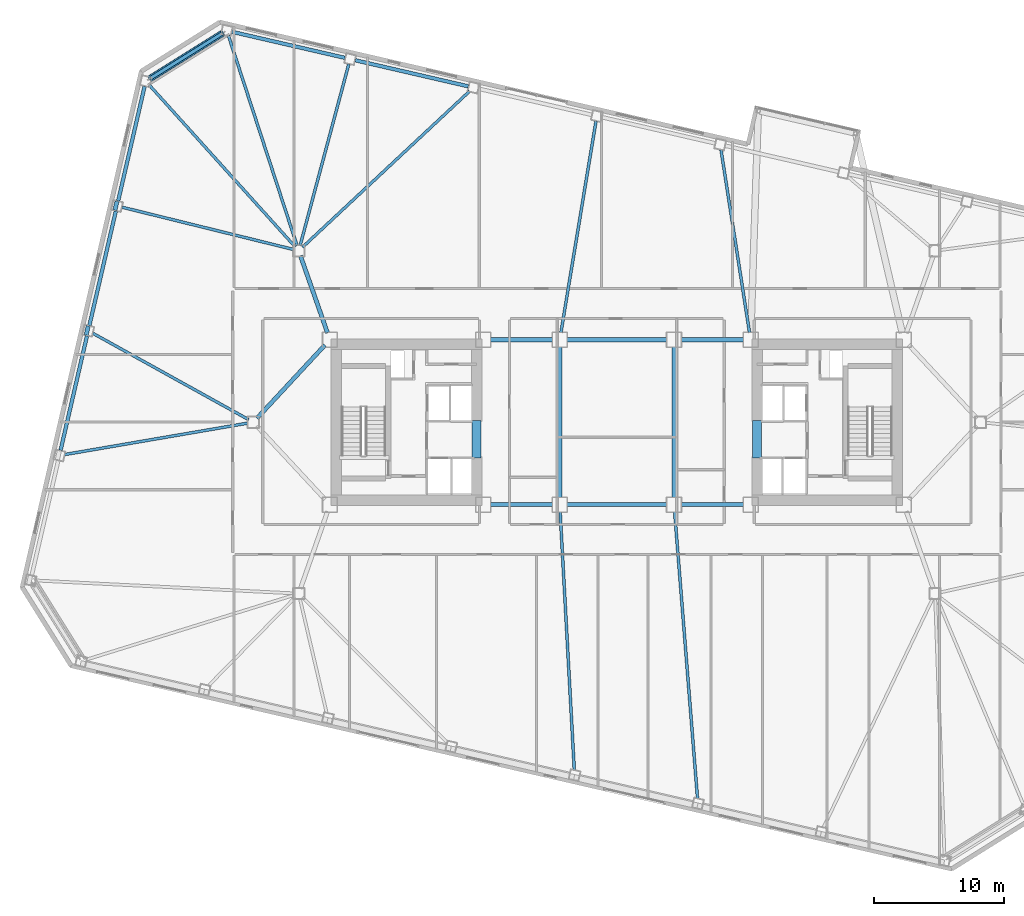
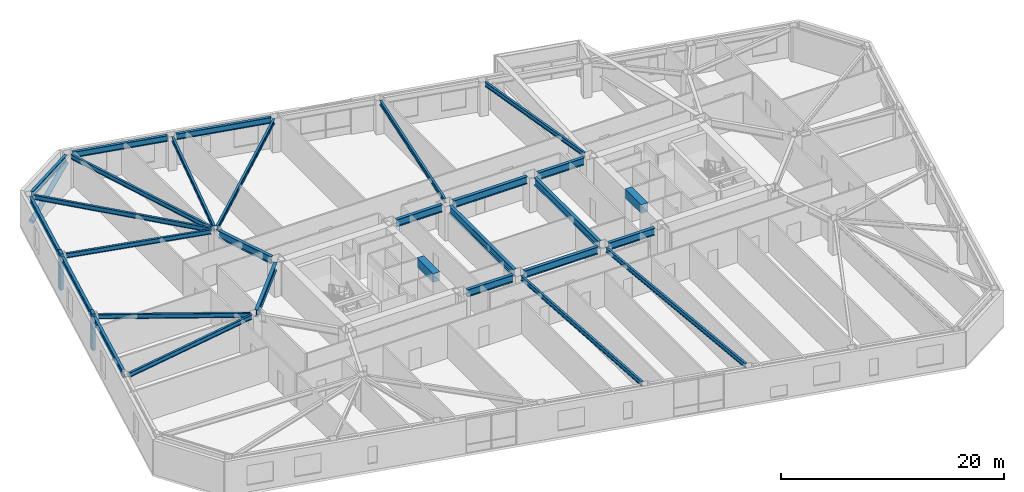
# One storey, part 7 of 23: 29 beams, 3 members.
"""IFC4 building model written with IfcOpenShell, lengths in metres."""

from ifc_helpers import new_model, si_unit, direction, frame, origin, origin_2d, place, context, subcontext, project, spatial, rectangle, hollow_circle, i_section, extrude, material, material_profile, profile_set, type_object, element, save


model = new_model("IFC4")

# Units and contexts
model_context = context("Model", 3, precision=1e-05, world=origin(), true_north=direction((0.0, 1.0)))
body_context = subcontext(model_context, "Body", "Model", "MODEL_VIEW")
ifc_project = project(units=[si_unit("LENGTHUNIT", "METRE"), si_unit("AREAUNIT", "SQUARE_METRE"), si_unit("VOLUMEUNIT", "CUBIC_METRE"), si_unit("PLANEANGLEUNIT", "RADIAN"), si_unit("MASSUNIT", "GRAM", prefix="KILO")], contexts=[model_context])

# Site, building, storey
site_placement = place(None, origin())
site = spatial("IfcSite", under=ifc_project, at=site_placement, CompositionType="ELEMENT")
building_placement = place(site_placement, origin())
building = spatial("IfcBuilding", under=site, at=building_placement, Name="Tavrogorsk Clinical Tower", CompositionType="ELEMENT")
storey_placement = place(building_placement, frame((0.0, 0.0, 63.39990234375)))
storey = spatial("IfcBuildingStorey", under=building, at=storey_placement, Name="L13", CompositionType="ELEMENT", Elevation=63.39990234375)

# Beams
ifc_material_1 = material(Name="Concrete B80", Category="concrete")
ifc_material_profile_1 = material_profile(ifc_material_1, rectangle(XDim=0.699951171875, YDim=0.949951171875, at=origin_2d()), Name="RC-CB-700x950")
ifc_profile_set_1 = profile_set([ifc_material_profile_1], Name="Concrete B80")
beam_type_1 = type_object("IfcBeamType", Name="CouplingBeam_RC700x950", PredefinedType="LINTEL", material=ifc_profile_set_1)
for number, where, z_axis, x_axis, name in (
    (1, (-10.800048828125, -2.75, 3.26513671875), (0.0, 1.0, 0.0), (-1.0, 0.0, 0.0), "L13 Core West Coupling Beam"),
    (2, (10.800048828125, -2.75, 3.26513671875), (0.0, 1.0, 0.0), (-1.0, 0.0, 0.0), "L13 Core East Coupling Beam"),
):
    element("IfcBeam", number, at=place(storey_placement, frame(where, z_axis=z_axis, x_axis=x_axis)), inside=storey, type_object=beam_type_1, Name=name, PredefinedType="LINTEL", context=body_context, shape_type="SweptSolid", body=[
        extrude(rectangle(XDim=0.699951171875, YDim=0.949951171875, at=origin_2d()), origin(), (0.0, 0.0, 1.0), 2.89990234375),
    ])

# Member
ifc_material_2 = material(Name="Structural steel S440", Category="steel")
ifc_material_profile_2 = material_profile(ifc_material_2, hollow_circle(Radius=0.25390625, WallThickness=0.02001953125, at=origin_2d()), Name="CHS-508x20")
ifc_profile_set_2 = profile_set([ifc_material_profile_2], Name="Structural steel S440")
member_type_1 = type_object("IfcMemberType", Name="ExoBrace_CHS508", PredefinedType="BRACE", material=ifc_profile_set_2)
member_placement = place(storey_placement, frame((-35.951904296875, 26.46240234375, 0.442626953125), z_axis=(0.794678685861, 0.496570017703, 0.349147538667), x_axis=(-0.529919005048, 0.848048258113, 0.0)))
element("IfcMember", 3, at=member_placement, inside=storey, type_object=member_type_1, Name="L13 Corner Exoskeleton Brace N8-W1", PredefinedType="BRACE", context=body_context, shape_type="SweptSolid", body=[
    extrude(hollow_circle(Radius=0.25390625, WallThickness=0.02001953125, at=origin_2d()), origin(), (0.0, 0.0, 1.0), 7.03173828125),
])

# Beams
ifc_material_3 = material(Name="Structural steel S355", Category="steel")
ifc_material_profile_3 = material_profile(ifc_material_3, i_section(OverallWidth=0.219970703125, OverallDepth=0.5, WebThickness=0.012939453125, FlangeThickness=0.02001953125, at=origin_2d()), Name="B-500x220x13x20")
ifc_profile_set_3 = profile_set([ifc_material_profile_3], Name="Structural steel S355")
beam_type_2 = type_object("IfcBeamType", Name="FloorBeam_B500", PredefinedType="BEAM", material=ifc_profile_set_3)
beam_1_placement = place(storey_placement, frame((-4.369384765625, -6.9091796875, 3.489990234375), z_axis=(0.054826938013, -0.998495872234, 0.0), x_axis=(0.998495872234, 0.054826938013, 0.0)))
element("IfcBeam", 4, at=beam_1_placement, inside=storey, type_object=beam_type_2, Name="L13 Radial Floor Beam S5", PredefinedType="BEAM", context=body_context, shape_type="SweptSolid", body=[
    extrude(i_section(OverallWidth=0.219970703125, OverallDepth=0.5, WebThickness=0.012939453125, FlangeThickness=0.02001953125, at=origin_2d()), origin(), (0.0, 0.0, 1.0), 19.891357421875),
])
beam_2_placement = place(storey_placement, frame((4.444580078125, -6.908203125, 3.489990234375), z_axis=(0.079775043579, -0.996812892384, 0.0), x_axis=(0.996812892384, 0.079775043579, 0.0)))
element("IfcBeam", 5, at=beam_2_placement, inside=storey, type_object=beam_type_2, Name="L13 Radial Floor Beam S6", PredefinedType="BEAM", context=body_context, shape_type="SweptSolid", body=[
    extrude(i_section(OverallWidth=0.219970703125, OverallDepth=0.5, WebThickness=0.012939453125, FlangeThickness=0.02001953125, at=origin_2d()), origin(), (0.0, 0.0, 1.0), 22.12646484375),
])
beam_3_placement = place(storey_placement, frame((10.213623046875, 6.9033203125, 3.489990234375), z_axis=(-0.154089917001, 0.988056829073, 0.0), x_axis=(-0.988056829073, -0.154089917001, 0.0)))
element("IfcBeam", 6, at=beam_3_placement, inside=storey, type_object=beam_type_2, Name="L13 Radial Floor Beam N4", PredefinedType="BEAM", context=body_context, shape_type="SweptSolid", body=[
    extrude(i_section(OverallWidth=0.219970703125, OverallDepth=0.5, WebThickness=0.012939453125, FlangeThickness=0.02001953125, at=origin_2d()), origin(), (0.0, 0.0, 1.0), 14.24853515625),
])
beam_4_placement = place(storey_placement, frame((-4.308349609375, 6.90234375, 3.489990234375), z_axis=(0.163563683006, 0.986532777763, 0.0), x_axis=(-0.986532777763, 0.163563683006, 0.0)))
element("IfcBeam", 7, at=beam_4_placement, inside=storey, type_object=beam_type_2, Name="L13 Radial Floor Beam N5", PredefinedType="BEAM", context=body_context, shape_type="SweptSolid", body=[
    extrude(i_section(OverallWidth=0.219970703125, OverallDepth=0.5, WebThickness=0.012939453125, FlangeThickness=0.02001953125, at=origin_2d()), origin(), (0.0, 0.0, 1.0), 16.4951171875),
])
beam_5_placement = place(storey_placement, frame((-24.200439453125, 13.47998046875, 3.489990234375), z_axis=(0.730781163302, 0.682611816015, 0.0), x_axis=(-0.682611816015, 0.730781163302, 0.0)))
element("IfcBeam", 8, at=beam_5_placement, inside=storey, type_object=beam_type_2, Name="L13 Radial Floor Beam N6", PredefinedType="BEAM", context=body_context, shape_type="SweptSolid", body=[
    extrude(i_section(OverallWidth=0.219970703125, OverallDepth=0.5, WebThickness=0.012939453125, FlangeThickness=0.02001953125, at=origin_2d()), origin(), (0.0, 0.0, 1.0), 17.597412109375),
])
beam_6_placement = place(storey_placement, frame((-24.393798828125, 13.595947265625, 3.489990234375), z_axis=(0.25900262632, 0.965876617151, 0.0), x_axis=(-0.965876617151, 0.25900262632, 0.0)))
element("IfcBeam", 9, at=beam_6_placement, inside=storey, type_object=beam_type_2, Name="L13 Radial Floor Beam N7", PredefinedType="BEAM", context=body_context, shape_type="SweptSolid", body=[
    extrude(i_section(OverallWidth=0.219970703125, OverallDepth=0.5, WebThickness=0.012939453125, FlangeThickness=0.02001953125, at=origin_2d()), origin(), (0.0, 0.0, 1.0), 14.46728515625),
])
beam_7_placement = place(storey_placement, frame((-24.62744140625, 13.58984375, 3.489990234375), z_axis=(-0.310546210819, 0.950558283824, 0.0), x_axis=(-0.950558283824, -0.310546210819, 0.0)))
element("IfcBeam", 10, at=beam_7_placement, inside=storey, type_object=beam_type_2, Name="L13 Radial Floor Beam N8", PredefinedType="BEAM", context=body_context, shape_type="SweptSolid", body=[
    extrude(i_section(OverallWidth=0.219970703125, OverallDepth=0.5, WebThickness=0.012939453125, FlangeThickness=0.02001953125, at=origin_2d()), origin(), (0.0, 0.0, 1.0), 17.0205078125),
])
beam_8_placement = place(storey_placement, frame((-24.774658203125, 13.50439453125, 3.489990234375), z_axis=(-0.669660294237, 0.742667550337, 0.0), x_axis=(-0.742667550337, -0.669660294237, 0.0)))
element("IfcBeam", 11, at=beam_8_placement, inside=storey, type_object=beam_type_2, Name="L13 Radial Floor Beam W1", PredefinedType="BEAM", context=body_context, shape_type="SweptSolid", body=[
    extrude(i_section(OverallWidth=0.219970703125, OverallDepth=0.5, WebThickness=0.012939453125, FlangeThickness=0.02001953125, at=origin_2d()), origin(), (0.0, 0.0, 1.0), 16.76708984375),
])
beam_9_placement = place(storey_placement, frame((-24.89794921875, 13.298095703125, 3.489990234375), z_axis=(-0.970889910259, 0.23952616174, 0.0), x_axis=(-0.23952616174, -0.970889910259, 0.0)))
element("IfcBeam", 12, at=beam_9_placement, inside=storey, type_object=beam_type_2, Name="L13 Radial Floor Beam W2", PredefinedType="BEAM", context=body_context, shape_type="SweptSolid", body=[
    extrude(i_section(OverallWidth=0.219970703125, OverallDepth=0.5, WebThickness=0.012939453125, FlangeThickness=0.02001953125, at=origin_2d()), origin(), (0.0, 0.0, 1.0), 13.595947265625),
])
beam_10_placement = place(storey_placement, frame((-28.358642578125, 0.19873046875, 3.489990234375), z_axis=(-0.874654711976, 0.484746464472, 0.0), x_axis=(-0.484746464472, -0.874654711976, 0.0)))
element("IfcBeam", 13, at=beam_10_placement, inside=storey, type_object=beam_type_2, Name="L13 Radial Floor Beam W3", PredefinedType="BEAM", context=body_context, shape_type="SweptSolid", body=[
    extrude(i_section(OverallWidth=0.219970703125, OverallDepth=0.5, WebThickness=0.012939453125, FlangeThickness=0.02001953125, at=origin_2d()), origin(), (0.0, 0.0, 1.0), 13.7158203125),
])
beam_11_placement = place(storey_placement, frame((-28.404052734375, -0.0693359375, 3.489990234375), z_axis=(-0.985592408786, -0.169137824698, 0.0), x_axis=(0.169137824698, -0.985592408786, 0.0)))
element("IfcBeam", 14, at=beam_11_placement, inside=storey, type_object=beam_type_2, Name="L13 Radial Floor Beam W4", PredefinedType="BEAM", context=body_context, shape_type="SweptSolid", body=[
    extrude(i_section(OverallWidth=0.219970703125, OverallDepth=0.5, WebThickness=0.012939453125, FlangeThickness=0.02001953125, at=origin_2d()), origin(), (0.0, 0.0, 1.0), 14.33056640625),
])

# Members
ifc_material_4 = material(Name="Precast concrete B45 with limestone cladding", Category="masonry")
ifc_material_profile_4 = material_profile(ifc_material_4, rectangle(XDim=0.320068359375, YDim=0.719970703125, at=origin_2d()), Name="LIMESTONE-FIN-320x720")
ifc_profile_set_4 = profile_set([ifc_material_profile_4], Name="Precast concrete B45 with limestone cladding")
member_type_2 = type_object("IfcMemberType", Name="LimestonePleatFin_320x720", PredefinedType="USERDEFINED", material=ifc_profile_set_4)
for number, where, z_axis, x_axis, name in (
    (15, (-38.572265625, 16.67041015625, 0.0), (0.0, 0.0, 1.0), (0.974370064785, -0.224951054344, 0.0), "L13 W Pleated Stone Fin 1"),
    (16, (-40.7900390625, 7.06298828125, 0.0), (0.0, 0.0, 1.0), (0.974370064785, -0.224951054344, 0.0), "L13 W Pleated Stone Fin 2"),
):
    element("IfcMember", number, at=place(storey_placement, frame(where, z_axis=z_axis, x_axis=x_axis)), inside=storey, type_object=member_type_2, Name=name, ObjectType="FIN", PredefinedType="USERDEFINED", context=body_context, shape_type="SweptSolid", body=[
        extrude(rectangle(XDim=0.320068359375, YDim=0.719970703125, at=origin_2d()), origin(), (0.0, 0.0, 1.0), 4.0),
    ])

# Beams
ifc_material_5 = material(Name="Structural steel S390", Category="steel")
ifc_material_profile_5 = material_profile(ifc_material_5, i_section(OverallWidth=0.320068359375, OverallDepth=0.800048828125, WebThickness=0.02001953125, FlangeThickness=0.033935546875, at=origin_2d()), Name="B-800x320x20x34")
ifc_profile_set_5 = profile_set([ifc_material_profile_5], Name="Structural steel S390")
beam_type_3 = type_object("IfcBeamType", Name="PrimaryGirder_B800", PredefinedType="USERDEFINED", material=ifc_profile_set_5)
for number, where, z_axis, x_axis, name in (
    (17, (-9.739990234375, -6.35009765625, 3.340087890625), (1.0, 0.0, 0.0), (0.0, 1.0, 0.0), "L13 Primary Spine Girder MG-01"),
    (18, (-9.739990234375, 6.35009765625, 3.340087890625), (1.0, 0.0, 0.0), (0.0, 1.0, 0.0), "L13 Primary Spine Girder MG-02"),
):
    element("IfcBeam", number, at=place(storey_placement, frame(where, z_axis=z_axis, x_axis=x_axis)), inside=storey, type_object=beam_type_3, Name=name, ObjectType="GIRDER", PredefinedType="USERDEFINED", context=body_context, shape_type="SweptSolid", body=[
        extrude(i_section(OverallWidth=0.320068359375, OverallDepth=0.800048828125, WebThickness=0.02001953125, FlangeThickness=0.033935546875, at=origin_2d()), origin(), (0.0, 0.0, 1.0), 4.780029296875),
    ])
for number, where, z_axis, x_axis, name in (
    (19, (-3.840087890625, -6.35009765625, 3.340087890625), (1.0, 0.0, 0.0), (0.0, 1.0, 0.0), "L13 Primary Spine Girder MG-03"),
    (20, (-3.840087890625, 6.35009765625, 3.340087890625), (1.0, 0.0, 0.0), (0.0, 1.0, 0.0), "L13 Primary Spine Girder MG-04"),
):
    element("IfcBeam", number, at=place(storey_placement, frame(where, z_axis=z_axis, x_axis=x_axis)), inside=storey, type_object=beam_type_3, Name=name, ObjectType="GIRDER", PredefinedType="USERDEFINED", context=body_context, shape_type="SweptSolid", body=[
        extrude(i_section(OverallWidth=0.320068359375, OverallDepth=0.800048828125, WebThickness=0.02001953125, FlangeThickness=0.033935546875, at=origin_2d()), origin(), (0.0, 0.0, 1.0), 7.68017578125),
    ])
for number, where, z_axis, x_axis, name in (
    (21, (4.9599609375, -6.35009765625, 3.340087890625), (1.0, 0.0, 0.0), (0.0, 1.0, 0.0), "L13 Primary Spine Girder MG-05"),
    (22, (4.9599609375, 6.35009765625, 3.340087890625), (1.0, 0.0, 0.0), (0.0, 1.0, 0.0), "L13 Primary Spine Girder MG-06"),
):
    element("IfcBeam", number, at=place(storey_placement, frame(where, z_axis=z_axis, x_axis=x_axis)), inside=storey, type_object=beam_type_3, Name=name, ObjectType="GIRDER", PredefinedType="USERDEFINED", context=body_context, shape_type="SweptSolid", body=[
        extrude(i_section(OverallWidth=0.320068359375, OverallDepth=0.800048828125, WebThickness=0.02001953125, FlangeThickness=0.033935546875, at=origin_2d()), origin(), (0.0, 0.0, 1.0), 4.780029296875),
    ])
for number, where, z_axis, x_axis, name in (
    (23, (-4.39990234375, -5.7900390625, 3.340087890625), (0.0, 1.0, 0.0), (-1.0, 0.0, 0.0), "L13 Primary Spine Girder MG-07"),
    (24, (4.39990234375, -5.7900390625, 3.340087890625), (0.0, 1.0, 0.0), (-1.0, 0.0, 0.0), "L13 Primary Spine Girder MG-08"),
):
    element("IfcBeam", number, at=place(storey_placement, frame(where, z_axis=z_axis, x_axis=x_axis)), inside=storey, type_object=beam_type_3, Name=name, ObjectType="GIRDER", PredefinedType="USERDEFINED", context=body_context, shape_type="SweptSolid", body=[
        extrude(i_section(OverallWidth=0.320068359375, OverallDepth=0.800048828125, WebThickness=0.02001953125, FlangeThickness=0.033935546875, at=origin_2d()), origin(), (0.0, 0.0, 1.0), 11.580078125),
    ])
beam_12_placement = place(storey_placement, frame((-24.364501953125, 12.81298828125, 3.340087890625), z_axis=(0.330668611543, -0.943746930771, 0.0), x_axis=(0.943746930771, 0.330668611543, 0.0)))
element("IfcBeam", 25, at=beam_12_placement, inside=storey, type_object=beam_type_3, Name="L13 Spine Link Girder OPG-3", ObjectType="GIRDER", PredefinedType="USERDEFINED", context=body_context, shape_type="SweptSolid", body=[
    extrude(i_section(OverallWidth=0.320068359375, OverallDepth=0.800048828125, WebThickness=0.02001953125, FlangeThickness=0.033935546875, at=origin_2d()), origin(), (0.0, 0.0, 1.0), 6.288330078125),
])
beam_13_placement = place(storey_placement, frame((-27.720947265625, 0.30029296875, 3.340087890625), z_axis=(0.680671250221, 0.732589004233, 0.0), x_axis=(-0.732589004233, 0.680671250221, 0.0)))
element("IfcBeam", 26, at=beam_13_placement, inside=storey, type_object=beam_type_3, Name="L13 Spine Link Girder OPG-6", ObjectType="GIRDER", PredefinedType="USERDEFINED", context=body_context, shape_type="SweptSolid", body=[
    extrude(i_section(OverallWidth=0.320068359375, OverallDepth=0.800048828125, WebThickness=0.02001953125, FlangeThickness=0.033935546875, at=origin_2d()), origin(), (0.0, 0.0, 1.0), 7.697998046875),
])
ifc_material_6 = material(Name="Structural steel S390", Category="steel")
ifc_material_profile_6 = material_profile(ifc_material_6, i_section(OverallWidth=0.280029296875, OverallDepth=0.64990234375, WebThickness=0.01611328125, FlangeThickness=0.02490234375, at=origin_2d()), Name="B-650x280x16x25")
ifc_profile_set_6 = profile_set([ifc_material_profile_6], Name="Structural steel S390")
beam_type_4 = type_object("IfcBeamType", Name="SpandrelBeam_B650", PredefinedType="SPANDREL", material=ifc_profile_set_6)
for number, where, z_axis, x_axis, name in (
    (27, (-11.43994140625, 25.862548828125, 3.4150390625), (-0.974372766602, 0.224939351168, 0.0), (-0.224939351168, -0.974372766602, 0.0), "L13 Perimeter Spandrel N6-N7"),
    (28, (-20.9384765625, 28.055419921875, 3.4150390625), (-0.974366775889, 0.224965299645, 0.0), (-0.224965299645, -0.974366775889, 0.0), "L13 Perimeter Spandrel N7-N8"),
):
    element("IfcBeam", number, at=place(storey_placement, frame(where, z_axis=z_axis, x_axis=x_axis)), inside=storey, type_object=beam_type_4, Name=name, PredefinedType="SPANDREL", context=body_context, shape_type="SweptSolid", body=[
        extrude(i_section(OverallWidth=0.280029296875, OverallDepth=0.64990234375, WebThickness=0.01611328125, FlangeThickness=0.02490234375, at=origin_2d()), origin(), (0.0, 0.0, 1.0), 8.9326171875),
    ])
beam_14_placement = place(storey_placement, frame((-30.3857421875, 29.9404296875, 3.4150390625), z_axis=(-0.848044454239, -0.529925092475, 0.0), x_axis=(0.529925092475, -0.848044454239, 0.0)))
element("IfcBeam", 29, at=beam_14_placement, inside=storey, type_object=beam_type_4, Name="L13 Perimeter Spandrel N8-W1", PredefinedType="SPANDREL", context=body_context, shape_type="SweptSolid", body=[
    extrude(i_section(OverallWidth=0.280029296875, OverallDepth=0.64990234375, WebThickness=0.01611328125, FlangeThickness=0.02490234375, at=origin_2d()), origin(), (0.0, 0.0, 1.0), 6.537841796875),
])
beam_15_placement = place(storey_placement, frame((-36.367919921875, 25.862060546875, 3.4150390625), z_axis=(-0.224952169462, -0.974369807339, 0.0), x_axis=(0.974369807339, -0.224952169462, 0.0)))
element("IfcBeam", 30, at=beam_15_placement, inside=storey, type_object=beam_type_4, Name="L13 Perimeter Spandrel W1-W2", PredefinedType="SPANDREL", context=body_context, shape_type="SweptSolid", body=[
    extrude(i_section(OverallWidth=0.280029296875, OverallDepth=0.64990234375, WebThickness=0.01611328125, FlangeThickness=0.02490234375, at=origin_2d()), origin(), (0.0, 0.0, 1.0), 9.043701171875),
])
beam_16_placement = place(storey_placement, frame((-38.5859375, 16.2548828125, 3.4150390625), z_axis=(-0.224946252597, -0.974371173343, 0.0), x_axis=(0.974371173343, -0.224946252597, 0.0)))
element("IfcBeam", 31, at=beam_16_placement, inside=storey, type_object=beam_type_4, Name="L13 Perimeter Spandrel W2-W3", PredefinedType="SPANDREL", context=body_context, shape_type="SweptSolid", body=[
    extrude(i_section(OverallWidth=0.280029296875, OverallDepth=0.64990234375, WebThickness=0.01611328125, FlangeThickness=0.02490234375, at=origin_2d()), origin(), (0.0, 0.0, 1.0), 9.0439453125),
])
beam_17_placement = place(storey_placement, frame((-40.803955078125, 6.6474609375, 3.4150390625), z_axis=(-0.224952169462, -0.974369807339, 0.0), x_axis=(0.974369807339, -0.224952169462, 0.0)))
element("IfcBeam", 32, at=beam_17_placement, inside=storey, type_object=beam_type_4, Name="L13 Perimeter Spandrel W3-W4", PredefinedType="SPANDREL", context=body_context, shape_type="SweptSolid", body=[
    extrude(i_section(OverallWidth=0.280029296875, OverallDepth=0.64990234375, WebThickness=0.01611328125, FlangeThickness=0.02490234375, at=origin_2d()), origin(), (0.0, 0.0, 1.0), 9.043701171875),
])

save(model, "model.ifc")
